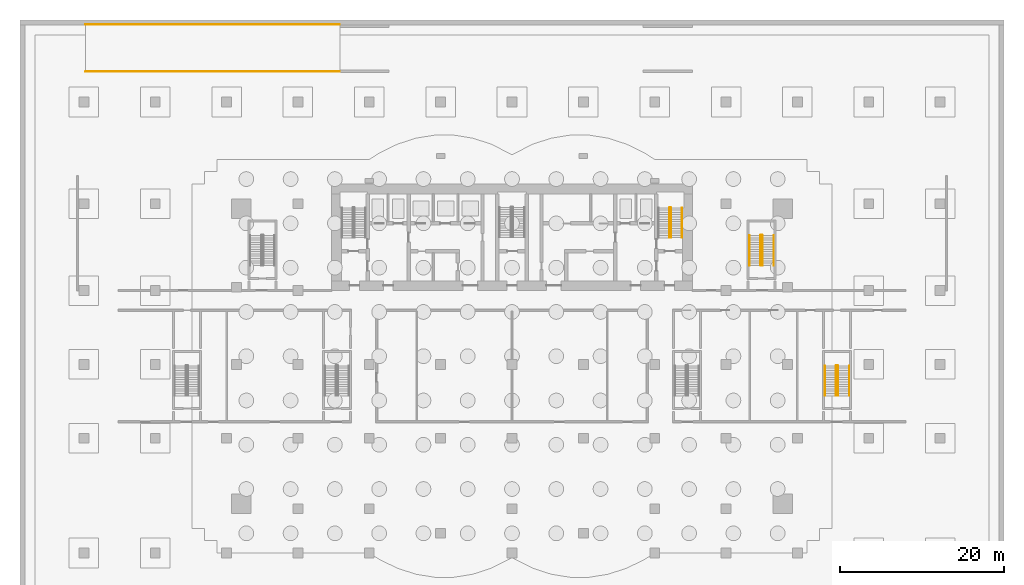
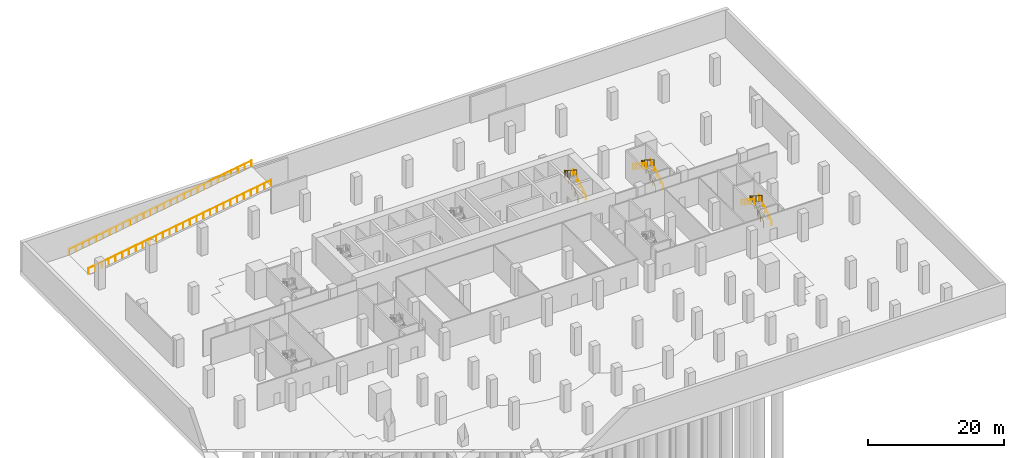
# One storey, part 9 of 10: 10 railings.
"""IFC4 building model written with IfcOpenShell, lengths in metres."""

from ifc_helpers import new_model, si_unit, direction, frame, origin, origin_2d, place, context, subcontext, project, spatial, circle, extrude, material, type_object, element, save


model = new_model("IFC4")

# Units and contexts
model_context = context("Model", 3, precision=1e-05, world=origin(), true_north=direction((0.0, 1.0)))
body_context = subcontext(model_context, "Body", "Model", "MODEL_VIEW")
ifc_project = project(units=[si_unit("LENGTHUNIT", "METRE"), si_unit("AREAUNIT", "SQUARE_METRE"), si_unit("VOLUMEUNIT", "CUBIC_METRE"), si_unit("PLANEANGLEUNIT", "RADIAN"), si_unit("MASSUNIT", "GRAM", prefix="KILO")], contexts=[model_context])

# Site, building, storey
site_placement = place(None, origin())
site = spatial("IfcSite", under=ifc_project, at=site_placement, CompositionType="ELEMENT")
building_placement = place(site_placement, origin())
building = spatial("IfcBuilding", under=site, at=building_placement, Name="Bicima Exchange Tower", CompositionType="ELEMENT")
storey_placement = place(building_placement, frame((0.0, 0.0, -15.0)))
storey = spatial("IfcBuildingStorey", under=building, at=storey_placement, Name="B3", CompositionType="ELEMENT", Elevation=-15.0)

# Railings
ifc_material = material(Name="Stainless steel", Category="steel")
railing_type_1 = type_object("IfcRailingType", Name="Stair guard 1100", PredefinedType="GUARDRAIL", material=ifc_material)
railing_1_placement = place(storey_placement, frame((19.39990234375, -6.550048828125, 0.178466796875)))
element("IfcRailing", 1, at=railing_1_placement, inside=storey, type_object=railing_type_1, Name="B3 ST-E stair guard 1", PredefinedType="GUARDRAIL", context=body_context, shape_type="SweptSolid", body=[
    extrude(circle(Radius=0.02392578125, at=origin_2d()), frame((0.0, 0.0, 1.076171875), z_axis=(0.0, 0.843127859045, 0.537713132908), x_axis=(-1.0, 0.0, 0.0)), (0.0, 0.0, 1.0), 4.3173828125),
    extrude(circle(Radius=0.02392578125, at=origin_2d()), frame((0.0, 3.64013671875, 3.3974609375), z_axis=(-0.707106781187, 0.707106781187, 0.0), x_axis=(-0.707106781187, -0.707106781187, 0.0)), (0.0, 0.0, 1.0), 0.0703125),
    extrude(circle(Radius=0.02392578125, at=origin_2d()), frame((-0.0498046875, 3.68994140625, 3.3974609375), z_axis=(-1.0, 0.0, 0.0), x_axis=(0.0, -1.0, 0.0)), (0.0, 0.0, 1.0), 0.10009765625),
    extrude(circle(Radius=0.02392578125, at=origin_2d()), frame((-0.14990234375, 3.68994140625, 3.3974609375), z_axis=(-0.26077077684, -0.25949872427, 0.929870428634), x_axis=(0.705375805398, -0.708833529934, 0.0)), (0.0, 0.0, 1.0), 0.19189453125),
    extrude(circle(Radius=0.02392578125, at=origin_2d()), frame((-0.199951171875, 3.64013671875, 3.576171875), z_axis=(0.0, -0.843127859045, 0.537713132908), x_axis=(1.0, 0.0, 0.0)), (0.0, 0.0, 1.0), 4.3173828125),
    extrude(circle(Radius=0.02099609375, at=origin_2d()), origin(), (0.0, 0.0, 1.0), 1.052001953125),
    extrude(circle(Radius=0.02099609375, at=origin_2d()), frame((0.0, 0.91015625, 0.580322265625)), (0.0, 0.0, 1.0), 1.052001953125),
    extrude(circle(Radius=0.02099609375, at=origin_2d()), frame((0.0, 1.820068359375, 1.16064453125)), (0.0, 0.0, 1.0), 1.052001953125),
    extrude(circle(Radius=0.02099609375, at=origin_2d()), frame((0.0, 2.72998046875, 1.7412109375)), (0.0, 0.0, 1.0), 1.052001953125),
    extrude(circle(Radius=0.02099609375, at=origin_2d()), frame((0.0, 3.64013671875, 2.321533203125)), (0.0, 0.0, 1.0), 1.052001953125),
    extrude(circle(Radius=0.02099609375, at=origin_2d()), frame((-0.0498046875, 3.68994140625, 2.321533203125)), (0.0, 0.0, 1.0), 1.052001953125),
    extrude(circle(Radius=0.02099609375, at=origin_2d()), frame((-0.14990234375, 3.68994140625, 2.321533203125)), (0.0, 0.0, 1.0), 1.052001953125),
    extrude(circle(Radius=0.02099609375, at=origin_2d()), frame((-0.199951171875, 3.64013671875, 2.5)), (0.0, 0.0, 1.0), 1.052001953125),
    extrude(circle(Radius=0.02099609375, at=origin_2d()), frame((-0.199951171875, 2.72998046875, 3.080322265625)), (0.0, 0.0, 1.0), 1.052001953125),
    extrude(circle(Radius=0.02099609375, at=origin_2d()), frame((-0.199951171875, 1.820068359375, 3.66064453125)), (0.0, 0.0, 1.0), 1.052001953125),
    extrude(circle(Radius=0.02099609375, at=origin_2d()), frame((-0.199951171875, 0.91015625, 4.2412109375)), (0.0, 0.0, 1.0), 1.052001953125),
    extrude(circle(Radius=0.02099609375, at=origin_2d()), frame((-0.199951171875, 0.0, 4.821533203125)), (0.0, 0.0, 1.0), 1.052001953125),
])
railing_2_placement = place(storey_placement, frame((30.574951171875, -9.925048828125, 0.178466796875)))
element("IfcRailing", 2, at=railing_2_placement, inside=storey, type_object=railing_type_1, Name="B3 ST-EE stair guard 1", PredefinedType="GUARDRAIL", context=body_context, shape_type="SweptSolid", body=[
    extrude(circle(Radius=0.02392578125, at=origin_2d()), frame((0.0, 0.0, 1.076171875), z_axis=(0.0, 0.843127859045, 0.537713132908), x_axis=(-1.0, 0.0, 0.0)), (0.0, 0.0, 1.0), 4.3173828125),
    extrude(circle(Radius=0.02392578125, at=origin_2d()), frame((0.0, 3.64013671875, 3.3974609375), z_axis=(-0.708833529934, 0.705375805398, 0.0), x_axis=(-0.705375805398, -0.708833529934, 0.0)), (0.0, 0.0, 1.0), 0.070556640625),
    extrude(circle(Radius=0.02392578125, at=origin_2d()), frame((-0.050048828125, 3.68994140625, 3.3974609375), z_axis=(-1.0, 0.0, 0.0), x_axis=(0.0, -1.0, 0.0)), (0.0, 0.0, 1.0), 0.14990234375),
    extrude(circle(Radius=0.02392578125, at=origin_2d()), frame((-0.199951171875, 3.68994140625, 3.3974609375), z_axis=(-0.26077077684, -0.25949872427, 0.929870428634), x_axis=(0.705375805398, -0.708833529934, 0.0)), (0.0, 0.0, 1.0), 0.19189453125),
    extrude(circle(Radius=0.02392578125, at=origin_2d()), frame((-0.25, 3.64013671875, 3.576171875), z_axis=(0.0, -0.843127859045, 0.537713132908), x_axis=(1.0, 0.0, 0.0)), (0.0, 0.0, 1.0), 4.3173828125),
    extrude(circle(Radius=0.02099609375, at=origin_2d()), origin(), (0.0, 0.0, 1.0), 1.052001953125),
    extrude(circle(Radius=0.02099609375, at=origin_2d()), frame((0.0, 0.91015625, 0.580322265625)), (0.0, 0.0, 1.0), 1.052001953125),
    extrude(circle(Radius=0.02099609375, at=origin_2d()), frame((0.0, 1.820068359375, 1.16064453125)), (0.0, 0.0, 1.0), 1.052001953125),
    extrude(circle(Radius=0.02099609375, at=origin_2d()), frame((0.0, 2.72998046875, 1.7412109375)), (0.0, 0.0, 1.0), 1.052001953125),
    extrude(circle(Radius=0.02099609375, at=origin_2d()), frame((0.0, 3.64013671875, 2.321533203125)), (0.0, 0.0, 1.0), 1.052001953125),
    extrude(circle(Radius=0.02099609375, at=origin_2d()), frame((-0.050048828125, 3.68994140625, 2.321533203125)), (0.0, 0.0, 1.0), 1.052001953125),
    extrude(circle(Radius=0.02099609375, at=origin_2d()), frame((-0.199951171875, 3.68994140625, 2.321533203125)), (0.0, 0.0, 1.0), 1.052001953125),
    extrude(circle(Radius=0.02099609375, at=origin_2d()), frame((-0.25, 3.64013671875, 2.5)), (0.0, 0.0, 1.0), 1.052001953125),
    extrude(circle(Radius=0.02099609375, at=origin_2d()), frame((-0.25, 2.72998046875, 3.080322265625)), (0.0, 0.0, 1.0), 1.052001953125),
    extrude(circle(Radius=0.02099609375, at=origin_2d()), frame((-0.25, 1.820068359375, 3.66064453125)), (0.0, 0.0, 1.0), 1.052001953125),
    extrude(circle(Radius=0.02099609375, at=origin_2d()), frame((-0.25, 0.91015625, 4.2412109375)), (0.0, 0.0, 1.0), 1.052001953125),
    extrude(circle(Radius=0.02099609375, at=origin_2d()), frame((-0.25, 0.0, 4.821533203125)), (0.0, 0.0, 1.0), 1.052001953125),
])
railing_3_placement = place(storey_placement, frame((39.77490234375, -25.824951171875, 0.178466796875)))
element("IfcRailing", 3, at=railing_3_placement, inside=storey, type_object=railing_type_1, Name="B3 PS-E stair guard 1", PredefinedType="GUARDRAIL", context=body_context, shape_type="SweptSolid", body=[
    extrude(circle(Radius=0.02392578125, at=origin_2d()), frame((0.0, 0.0, 1.076171875), z_axis=(0.0, 0.843111507901, 0.53773877045), x_axis=(-1.0, 0.0, 0.0)), (0.0, 0.0, 1.0), 4.317138671875),
    extrude(circle(Radius=0.02392578125, at=origin_2d()), frame((0.0, 3.639892578125, 3.3974609375), z_axis=(-0.705375805398, 0.708833529934, 0.0), x_axis=(-0.708833529934, -0.705375805398, 0.0)), (0.0, 0.0, 1.0), 0.070556640625),
    extrude(circle(Radius=0.02392578125, at=origin_2d()), frame((-0.0498046875, 3.68994140625, 3.3974609375), z_axis=(-1.0, 0.0, 0.0), x_axis=(0.0, -1.0, 0.0)), (0.0, 0.0, 1.0), 0.150146484375),
    extrude(circle(Radius=0.02392578125, at=origin_2d()), frame((-0.199951171875, 3.68994140625, 3.3974609375), z_axis=(-0.260684529273, -0.260684529273, 0.929562882432), x_axis=(0.707106781187, -0.707106781187, 0.0)), (0.0, 0.0, 1.0), 0.19189453125),
    extrude(circle(Radius=0.02392578125, at=origin_2d()), frame((-0.25, 3.639892578125, 3.576171875), z_axis=(0.0, -0.843111507901, 0.53773877045), x_axis=(1.0, 0.0, 0.0)), (0.0, 0.0, 1.0), 4.317138671875),
    extrude(circle(Radius=0.02099609375, at=origin_2d()), origin(), (0.0, 0.0, 1.0), 1.052001953125),
    extrude(circle(Radius=0.02099609375, at=origin_2d()), frame((0.0, 0.909912109375, 0.580322265625)), (0.0, 0.0, 1.0), 1.052001953125),
    extrude(circle(Radius=0.02099609375, at=origin_2d()), frame((0.0, 1.81982421875, 1.16064453125)), (0.0, 0.0, 1.0), 1.052001953125),
    extrude(circle(Radius=0.02099609375, at=origin_2d()), frame((0.0, 2.72998046875, 1.7412109375)), (0.0, 0.0, 1.0), 1.052001953125),
    extrude(circle(Radius=0.02099609375, at=origin_2d()), frame((0.0, 3.639892578125, 2.321533203125)), (0.0, 0.0, 1.0), 1.052001953125),
    extrude(circle(Radius=0.02099609375, at=origin_2d()), frame((-0.0498046875, 3.68994140625, 2.321533203125)), (0.0, 0.0, 1.0), 1.052001953125),
    extrude(circle(Radius=0.02099609375, at=origin_2d()), frame((-0.199951171875, 3.68994140625, 2.321533203125)), (0.0, 0.0, 1.0), 1.052001953125),
    extrude(circle(Radius=0.02099609375, at=origin_2d()), frame((-0.25, 3.639892578125, 2.5)), (0.0, 0.0, 1.0), 1.052001953125),
    extrude(circle(Radius=0.02099609375, at=origin_2d()), frame((-0.25, 2.72998046875, 3.080322265625)), (0.0, 0.0, 1.0), 1.052001953125),
    extrude(circle(Radius=0.02099609375, at=origin_2d()), frame((-0.25, 1.81982421875, 3.66064453125)), (0.0, 0.0, 1.0), 1.052001953125),
    extrude(circle(Radius=0.02099609375, at=origin_2d()), frame((-0.25, 0.909912109375, 4.2412109375)), (0.0, 0.0, 1.0), 1.052001953125),
    extrude(circle(Radius=0.02099609375, at=origin_2d()), frame((-0.25, 0.0, 4.821533203125)), (0.0, 0.0, 1.0), 1.052001953125),
])
railing_type_2 = type_object("IfcRailingType", Name="Stair handrail 900", PredefinedType="HANDRAIL", material=ifc_material)
for number, where, name in (
    (4, (20.75, -6.550048828125, 0.178466796875), "B3 ST-E stair handrail 1"),
    (5, (31.925048828125, -9.925048828125, 0.178466796875), "B3 ST-EE stair handrail 1"),
):
    element("IfcRailing", number, at=place(storey_placement, frame(where)), inside=storey, type_object=railing_type_2, Name=name, PredefinedType="HANDRAIL", context=body_context, shape_type="SweptSolid", body=[
        extrude(circle(Radius=0.02392578125, at=origin_2d()), frame((0.0, 0.0, 0.8759765625), z_axis=(0.0, 0.843127859045, 0.537713132908), x_axis=(-1.0, 0.0, 0.0)), (0.0, 0.0, 1.0), 4.3173828125),
        extrude(circle(Radius=0.02099609375, at=origin_2d()), origin(), (0.0, 0.0, 1.0), 0.851806640625),
        extrude(circle(Radius=0.02099609375, at=origin_2d()), frame((0.0, 0.91015625, 0.580322265625)), (0.0, 0.0, 1.0), 0.851806640625),
        extrude(circle(Radius=0.02099609375, at=origin_2d()), frame((0.0, 1.820068359375, 1.16064453125)), (0.0, 0.0, 1.0), 0.851806640625),
        extrude(circle(Radius=0.02099609375, at=origin_2d()), frame((0.0, 2.72998046875, 1.7412109375)), (0.0, 0.0, 1.0), 0.851806640625),
        extrude(circle(Radius=0.02099609375, at=origin_2d()), frame((0.0, 3.64013671875, 2.321533203125)), (0.0, 0.0, 1.0), 0.851806640625),
    ])
railing_4_placement = place(storey_placement, frame((28.97509765625, -6.284912109375, 2.678466796875)))
element("IfcRailing", 6, at=railing_4_placement, inside=storey, type_object=railing_type_2, Name="B3 ST-EE stair handrail 2", PredefinedType="HANDRAIL", context=body_context, shape_type="SweptSolid", body=[
    extrude(circle(Radius=0.02392578125, at=origin_2d()), frame((0.0, 0.0, 0.8759765625), z_axis=(0.0, -0.843127859045, 0.537713132908), x_axis=(1.0, 0.0, 0.0)), (0.0, 0.0, 1.0), 4.3173828125),
    extrude(circle(Radius=0.02099609375, at=origin_2d()), origin(), (0.0, 0.0, 1.0), 0.851806640625),
    extrude(circle(Radius=0.02099609375, at=origin_2d()), frame((0.0, -0.91015625, 0.580322265625)), (0.0, 0.0, 1.0), 0.851806640625),
    extrude(circle(Radius=0.02099609375, at=origin_2d()), frame((0.0, -1.820068359375, 1.16064453125)), (0.0, 0.0, 1.0), 0.851806640625),
    extrude(circle(Radius=0.02099609375, at=origin_2d()), frame((0.0, -2.72998046875, 1.7412109375)), (0.0, 0.0, 1.0), 0.851806640625),
    extrude(circle(Radius=0.02099609375, at=origin_2d()), frame((0.0, -3.64013671875, 2.321533203125)), (0.0, 0.0, 1.0), 0.851806640625),
])
railing_5_placement = place(storey_placement, frame((41.125, -25.824951171875, 0.178466796875)))
element("IfcRailing", 7, at=railing_5_placement, inside=storey, type_object=railing_type_2, Name="B3 PS-E stair handrail 1", PredefinedType="HANDRAIL", context=body_context, shape_type="SweptSolid", body=[
    extrude(circle(Radius=0.02392578125, at=origin_2d()), frame((0.0, 0.0, 0.8759765625), z_axis=(0.0, 0.843111507901, 0.53773877045), x_axis=(-1.0, 0.0, 0.0)), (0.0, 0.0, 1.0), 4.317138671875),
    extrude(circle(Radius=0.02099609375, at=origin_2d()), origin(), (0.0, 0.0, 1.0), 0.851806640625),
    extrude(circle(Radius=0.02099609375, at=origin_2d()), frame((0.0, 0.909912109375, 0.580322265625)), (0.0, 0.0, 1.0), 0.851806640625),
    extrude(circle(Radius=0.02099609375, at=origin_2d()), frame((0.0, 1.81982421875, 1.16064453125)), (0.0, 0.0, 1.0), 0.851806640625),
    extrude(circle(Radius=0.02099609375, at=origin_2d()), frame((0.0, 2.72998046875, 1.7412109375)), (0.0, 0.0, 1.0), 0.851806640625),
    extrude(circle(Radius=0.02099609375, at=origin_2d()), frame((0.0, 3.639892578125, 2.321533203125)), (0.0, 0.0, 1.0), 0.851806640625),
])
railing_6_placement = place(storey_placement, frame((38.175048828125, -22.18505859375, 2.678466796875)))
element("IfcRailing", 8, at=railing_6_placement, inside=storey, type_object=railing_type_2, Name="B3 PS-E stair handrail 2", PredefinedType="HANDRAIL", context=body_context, shape_type="SweptSolid", body=[
    extrude(circle(Radius=0.02392578125, at=origin_2d()), frame((0.0, 0.0, 0.8759765625), z_axis=(0.0, -0.843111507901, 0.53773877045), x_axis=(1.0, 0.0, 0.0)), (0.0, 0.0, 1.0), 4.317138671875),
    extrude(circle(Radius=0.02099609375, at=origin_2d()), origin(), (0.0, 0.0, 1.0), 0.851806640625),
    extrude(circle(Radius=0.02099609375, at=origin_2d()), frame((0.0, -0.909912109375, 0.580322265625)), (0.0, 0.0, 1.0), 0.851806640625),
    extrude(circle(Radius=0.02099609375, at=origin_2d()), frame((0.0, -1.81982421875, 1.16064453125)), (0.0, 0.0, 1.0), 0.851806640625),
    extrude(circle(Radius=0.02099609375, at=origin_2d()), frame((0.0, -2.72998046875, 1.7412109375)), (0.0, 0.0, 1.0), 0.851806640625),
    extrude(circle(Radius=0.02099609375, at=origin_2d()), frame((0.0, -3.639892578125, 2.321533203125)), (0.0, 0.0, 1.0), 0.851806640625),
])
railing_7_placement = place(storey_placement, frame((-52.0, 13.699951171875, 0.0)))
element("IfcRailing", 9, at=railing_7_placement, inside=storey, Name="Ramp guard 1 south", PredefinedType="GUARDRAIL", context=body_context, shape_type="SweptSolid", body=[
    extrude(circle(Radius=0.02392578125, at=origin_2d()), frame((0.0, 0.0, 1.076171875), z_axis=(0.987241120713, 0.0, 0.159232438825), x_axis=(0.0, 1.0, 0.0)), (0.0, 0.0, 1.0), 31.400634765625),
    extrude(circle(Radius=0.02099609375, at=origin_2d()), origin(), (0.0, 0.0, 1.0), 1.052001953125),
    extrude(circle(Radius=0.02099609375, at=origin_2d()), frame((1.148193359375, 0.0, 0.185302734375)), (0.0, 0.0, 1.0), 1.052001953125),
    extrude(circle(Radius=0.02099609375, at=origin_2d()), frame((2.29638671875, 0.0, 0.370361328125)), (0.0, 0.0, 1.0), 1.052001953125),
    extrude(circle(Radius=0.02099609375, at=origin_2d()), frame((3.4443359375, 0.0, 0.5556640625)), (0.0, 0.0, 1.0), 1.052001953125),
    extrude(circle(Radius=0.02099609375, at=origin_2d()), frame((4.592529296875, 0.0, 0.74072265625)), (0.0, 0.0, 1.0), 1.052001953125),
    extrude(circle(Radius=0.02099609375, at=origin_2d()), frame((5.74072265625, 0.0, 0.926025390625)), (0.0, 0.0, 1.0), 1.052001953125),
    extrude(circle(Radius=0.02099609375, at=origin_2d()), frame((6.888916015625, 0.0, 1.111083984375)), (0.0, 0.0, 1.0), 1.052001953125),
    extrude(circle(Radius=0.02099609375, at=origin_2d()), frame((8.037109375, 0.0, 1.29638671875)), (0.0, 0.0, 1.0), 1.052001953125),
    extrude(circle(Radius=0.02099609375, at=origin_2d()), frame((9.185302734375, 0.0, 1.4814453125)), (0.0, 0.0, 1.0), 1.052001953125),
    extrude(circle(Radius=0.02099609375, at=origin_2d()), frame((10.333251953125, 0.0, 1.666748046875)), (0.0, 0.0, 1.0), 1.052001953125),
    extrude(circle(Radius=0.02099609375, at=origin_2d()), frame((11.4814453125, 0.0, 1.851806640625)), (0.0, 0.0, 1.0), 1.052001953125),
    extrude(circle(Radius=0.02099609375, at=origin_2d()), frame((12.629638671875, 0.0, 2.037109375)), (0.0, 0.0, 1.0), 1.052001953125),
    extrude(circle(Radius=0.02099609375, at=origin_2d()), frame((13.77783203125, 0.0, 2.22216796875)), (0.0, 0.0, 1.0), 1.052001953125),
    extrude(circle(Radius=0.02099609375, at=origin_2d()), frame((14.926025390625, 0.0, 2.407470703125)), (0.0, 0.0, 1.0), 1.052001953125),
    extrude(circle(Radius=0.02099609375, at=origin_2d()), frame((16.073974609375, 0.0, 2.592529296875)), (0.0, 0.0, 1.0), 1.052001953125),
    extrude(circle(Radius=0.02099609375, at=origin_2d()), frame((17.22216796875, 0.0, 2.77783203125)), (0.0, 0.0, 1.0), 1.052001953125),
    extrude(circle(Radius=0.02099609375, at=origin_2d()), frame((18.370361328125, 0.0, 2.962890625)), (0.0, 0.0, 1.0), 1.052001953125),
    extrude(circle(Radius=0.02099609375, at=origin_2d()), frame((19.5185546875, 0.0, 3.148193359375)), (0.0, 0.0, 1.0), 1.052001953125),
    extrude(circle(Radius=0.02099609375, at=origin_2d()), frame((20.666748046875, 0.0, 3.333251953125)), (0.0, 0.0, 1.0), 1.052001953125),
    extrude(circle(Radius=0.02099609375, at=origin_2d()), frame((21.814697265625, 0.0, 3.5185546875)), (0.0, 0.0, 1.0), 1.052001953125),
    extrude(circle(Radius=0.02099609375, at=origin_2d()), frame((22.962890625, 0.0, 3.70361328125)), (0.0, 0.0, 1.0), 1.052001953125),
    extrude(circle(Radius=0.02099609375, at=origin_2d()), frame((24.111083984375, 0.0, 3.888916015625)), (0.0, 0.0, 1.0), 1.052001953125),
    extrude(circle(Radius=0.02099609375, at=origin_2d()), frame((25.25927734375, 0.0, 4.073974609375)), (0.0, 0.0, 1.0), 1.052001953125),
    extrude(circle(Radius=0.02099609375, at=origin_2d()), frame((26.407470703125, 0.0, 4.25927734375)), (0.0, 0.0, 1.0), 1.052001953125),
    extrude(circle(Radius=0.02099609375, at=origin_2d()), frame((27.5556640625, 0.0, 4.4443359375)), (0.0, 0.0, 1.0), 1.052001953125),
    extrude(circle(Radius=0.02099609375, at=origin_2d()), frame((28.70361328125, 0.0, 4.629638671875)), (0.0, 0.0, 1.0), 1.052001953125),
    extrude(circle(Radius=0.02099609375, at=origin_2d()), frame((29.851806640625, 0.0, 4.814697265625)), (0.0, 0.0, 1.0), 1.052001953125),
    extrude(circle(Radius=0.02099609375, at=origin_2d()), frame((31.0, 0.0, 5.0)), (0.0, 0.0, 1.0), 1.052001953125),
])
railing_8_placement = place(storey_placement, frame((-52.0, 19.449951171875, 0.0)))
element("IfcRailing", 10, at=railing_8_placement, inside=storey, Name="Ramp guard 1 north", PredefinedType="GUARDRAIL", context=body_context, shape_type="SweptSolid", body=[
    extrude(circle(Radius=0.02392578125, at=origin_2d()), frame((0.0, 0.0, 1.076171875), z_axis=(0.987241120713, 0.0, 0.159232438825), x_axis=(0.0, 1.0, 0.0)), (0.0, 0.0, 1.0), 31.400634765625),
    extrude(circle(Radius=0.02099609375, at=origin_2d()), origin(), (0.0, 0.0, 1.0), 1.052001953125),
    extrude(circle(Radius=0.02099609375, at=origin_2d()), frame((1.148193359375, 0.0, 0.185302734375)), (0.0, 0.0, 1.0), 1.052001953125),
    extrude(circle(Radius=0.02099609375, at=origin_2d()), frame((2.29638671875, 0.0, 0.370361328125)), (0.0, 0.0, 1.0), 1.052001953125),
    extrude(circle(Radius=0.02099609375, at=origin_2d()), frame((3.4443359375, 0.0, 0.5556640625)), (0.0, 0.0, 1.0), 1.052001953125),
    extrude(circle(Radius=0.02099609375, at=origin_2d()), frame((4.592529296875, 0.0, 0.74072265625)), (0.0, 0.0, 1.0), 1.052001953125),
    extrude(circle(Radius=0.02099609375, at=origin_2d()), frame((5.74072265625, 0.0, 0.926025390625)), (0.0, 0.0, 1.0), 1.052001953125),
    extrude(circle(Radius=0.02099609375, at=origin_2d()), frame((6.888916015625, 0.0, 1.111083984375)), (0.0, 0.0, 1.0), 1.052001953125),
    extrude(circle(Radius=0.02099609375, at=origin_2d()), frame((8.037109375, 0.0, 1.29638671875)), (0.0, 0.0, 1.0), 1.052001953125),
    extrude(circle(Radius=0.02099609375, at=origin_2d()), frame((9.185302734375, 0.0, 1.4814453125)), (0.0, 0.0, 1.0), 1.052001953125),
    extrude(circle(Radius=0.02099609375, at=origin_2d()), frame((10.333251953125, 0.0, 1.666748046875)), (0.0, 0.0, 1.0), 1.052001953125),
    extrude(circle(Radius=0.02099609375, at=origin_2d()), frame((11.4814453125, 0.0, 1.851806640625)), (0.0, 0.0, 1.0), 1.052001953125),
    extrude(circle(Radius=0.02099609375, at=origin_2d()), frame((12.629638671875, 0.0, 2.037109375)), (0.0, 0.0, 1.0), 1.052001953125),
    extrude(circle(Radius=0.02099609375, at=origin_2d()), frame((13.77783203125, 0.0, 2.22216796875)), (0.0, 0.0, 1.0), 1.052001953125),
    extrude(circle(Radius=0.02099609375, at=origin_2d()), frame((14.926025390625, 0.0, 2.407470703125)), (0.0, 0.0, 1.0), 1.052001953125),
    extrude(circle(Radius=0.02099609375, at=origin_2d()), frame((16.073974609375, 0.0, 2.592529296875)), (0.0, 0.0, 1.0), 1.052001953125),
    extrude(circle(Radius=0.02099609375, at=origin_2d()), frame((17.22216796875, 0.0, 2.77783203125)), (0.0, 0.0, 1.0), 1.052001953125),
    extrude(circle(Radius=0.02099609375, at=origin_2d()), frame((18.370361328125, 0.0, 2.962890625)), (0.0, 0.0, 1.0), 1.052001953125),
    extrude(circle(Radius=0.02099609375, at=origin_2d()), frame((19.5185546875, 0.0, 3.148193359375)), (0.0, 0.0, 1.0), 1.052001953125),
    extrude(circle(Radius=0.02099609375, at=origin_2d()), frame((20.666748046875, 0.0, 3.333251953125)), (0.0, 0.0, 1.0), 1.052001953125),
    extrude(circle(Radius=0.02099609375, at=origin_2d()), frame((21.814697265625, 0.0, 3.5185546875)), (0.0, 0.0, 1.0), 1.052001953125),
    extrude(circle(Radius=0.02099609375, at=origin_2d()), frame((22.962890625, 0.0, 3.70361328125)), (0.0, 0.0, 1.0), 1.052001953125),
    extrude(circle(Radius=0.02099609375, at=origin_2d()), frame((24.111083984375, 0.0, 3.888916015625)), (0.0, 0.0, 1.0), 1.052001953125),
    extrude(circle(Radius=0.02099609375, at=origin_2d()), frame((25.25927734375, 0.0, 4.073974609375)), (0.0, 0.0, 1.0), 1.052001953125),
    extrude(circle(Radius=0.02099609375, at=origin_2d()), frame((26.407470703125, 0.0, 4.25927734375)), (0.0, 0.0, 1.0), 1.052001953125),
    extrude(circle(Radius=0.02099609375, at=origin_2d()), frame((27.5556640625, 0.0, 4.4443359375)), (0.0, 0.0, 1.0), 1.052001953125),
    extrude(circle(Radius=0.02099609375, at=origin_2d()), frame((28.70361328125, 0.0, 4.629638671875)), (0.0, 0.0, 1.0), 1.052001953125),
    extrude(circle(Radius=0.02099609375, at=origin_2d()), frame((29.851806640625, 0.0, 4.814697265625)), (0.0, 0.0, 1.0), 1.052001953125),
    extrude(circle(Radius=0.02099609375, at=origin_2d()), frame((31.0, 0.0, 5.0)), (0.0, 0.0, 1.0), 1.052001953125),
])

save(model, "model.ifc")
